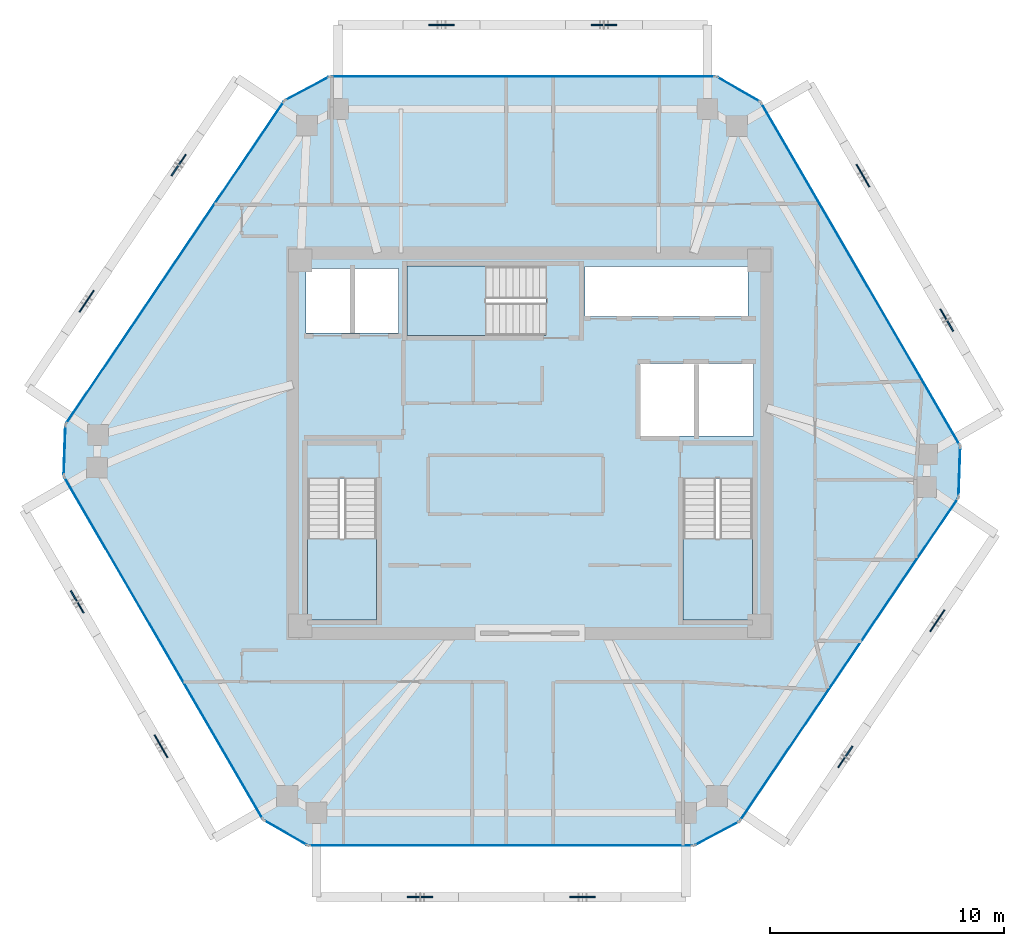
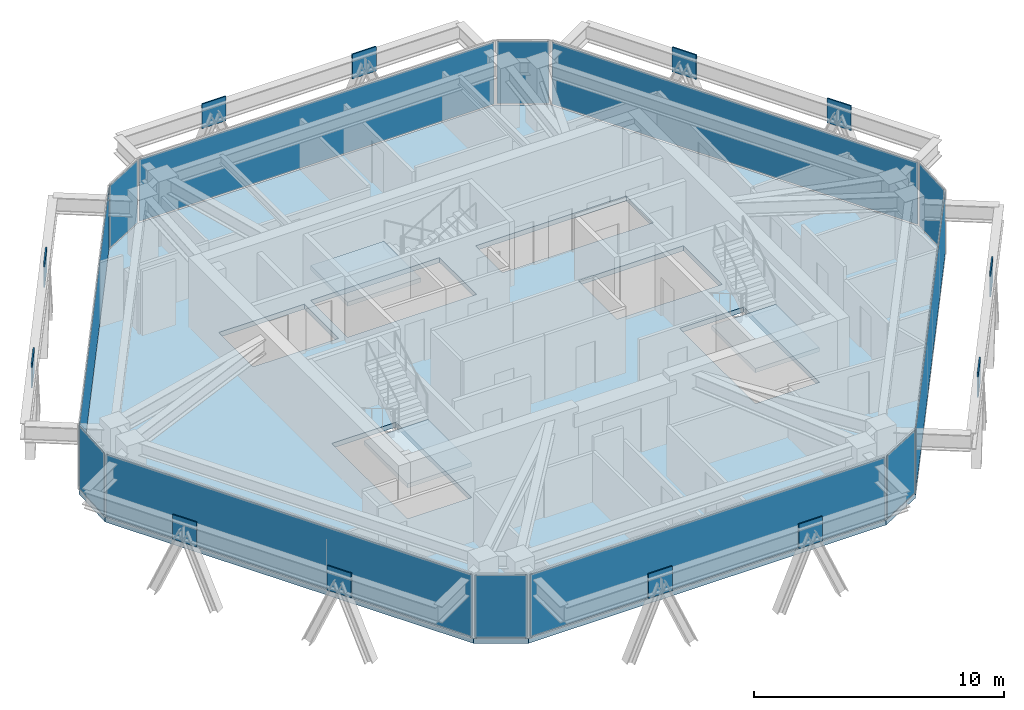
# One storey, part 7 of 13: 24 plates, 4 slabs, 15 elements without a shape of their own.
"""IFC4 building model written with IfcOpenShell, lengths in metres."""

from ifc_helpers import new_model, si_unit, direction, frame, origin, origin_2d, place, context, subcontext, project, spatial, polyline, rectangle, outline, extrude, source, transform, mapped, material, layer, layer_set, type_object, type_shapes, element, aggregate, save


model = new_model("IFC4")

# Units and contexts
model_context = context("Model", 3, precision=1e-05, world=origin(), true_north=direction((0.0, 1.0)))
body_context = subcontext(model_context, "Body", "Model", "MODEL_VIEW")
ifc_project = project(units=[si_unit("LENGTHUNIT", "METRE"), si_unit("AREAUNIT", "SQUARE_METRE"), si_unit("VOLUMEUNIT", "CUBIC_METRE"), si_unit("PLANEANGLEUNIT", "RADIAN"), si_unit("MASSUNIT", "GRAM", prefix="KILO")], contexts=[model_context])

# Site, building, storey
site_placement = place(None, origin())
site = spatial("IfcSite", under=ifc_project, at=site_placement, CompositionType="ELEMENT")
building_placement = place(site_placement, origin())
building = spatial("IfcBuilding", under=site, at=building_placement, Name="Durnholm Broadcast Tower", CompositionType="ELEMENT")
storey_placement = place(building_placement, frame((0.0, 0.0, 254.699951171875)))
storey = spatial("IfcBuildingStorey", under=building, at=storey_placement, Name="L71", CompositionType="ELEMENT", Elevation=254.699951171875)

# Slab
ifc_material_1 = material(Name="Concrete C50/60", Category="concrete")
ifc_layer_1 = layer(ifc_material_1, 0.239990234375)
ifc_layer_set_1 = layer_set([ifc_layer_1], Name="Concrete C50/60")
slab_type_1 = type_object("IfcSlabType", Name="SLAB-FLR-240", PredefinedType="FLOOR", material=ifc_layer_set_1)
slab_1_placement = place(storey_placement, frame((0.0, 0.0, -0.239990234375)))
element("IfcSlab", 1, at=slab_1_placement, inside=storey, type_object=slab_type_1, Name="L71 structural floor slab", PredefinedType="FLOOR", context=body_context, shape_type="SweptSolid", body=[
    extrude(outline(polyline([(-11.384521484375, -16.088134765625), (-9.47802734375, -17.18603515625), (7.012451171875, -17.18603515625), (8.955322265625, -16.154296875), (18.307861328125, -2.3203125), (18.38330078125, -0.12158203125), (9.8603515625, 14.564208984375), (7.9541015625, 15.662109375), (-8.536376953125, 15.662109375), (-10.4794921875, 14.630126953125), (-19.831787109375, 0.79638671875), (-19.9072265625, -1.40234375), (-11.384521484375, -16.088134765625)]), holes=[polyline([(-6.5400390625, -1.5), (-9.5, -1.5), (-9.5, -7.550048828125), (-6.5400390625, -7.550048828125), (-6.5400390625, -1.5)]), polyline([(9.5, -7.550048828125), (9.5, -1.5), (6.5400390625, -1.5), (6.5400390625, -7.550048828125), (9.5, -7.550048828125)]), polyline([(9.550048828125, 3.39990234375), (4.699951171875, 3.39990234375), (4.699951171875, 0.300048828125), (9.550048828125, 0.300048828125), (9.550048828125, 3.39990234375)]), polyline([(-9.550048828125, 7.449951171875), (-9.550048828125, 4.699951171875), (-5.60009765625, 4.699951171875), (-5.60009765625, 7.449951171875), (-9.550048828125, 7.449951171875)]), polyline([(-5.25, 4.60009765625), (0.699951171875, 4.60009765625), (0.699951171875, 7.56005859375), (-5.25, 7.56005859375), (-5.25, 4.60009765625)]), polyline([(9.31005859375, 7.550048828125), (2.35009765625, 7.550048828125), (2.35009765625, 5.39990234375), (9.31005859375, 5.39990234375), (9.31005859375, 7.550048828125)])]), origin(), (0.0, 0.0, 1.0), 0.239990234375),
])

# Stair, slab
stair_type = type_object("IfcStairType", Name="STAIR-DL-20R1700", PredefinedType="HALF_TURN_STAIR", material=ifc_material_1)
stair_1_placement = place(storey_placement, origin())
stair_1 = element("IfcStair", 2, at=stair_1_placement, inside=storey, type_object=stair_type, Name="L71 ST-1", PredefinedType="HALF_TURN_STAIR")
ifc_layer_2 = layer(ifc_material_1, 0.199951171875)
ifc_layer_set_2 = layer_set([ifc_layer_2], Name="Concrete C50/60")
slab_type_2 = type_object("IfcSlabType", Name="SLAB-LND-200", PredefinedType="LANDING", material=ifc_layer_set_2)
slab_2_placement = place(storey_placement, frame((0.0, 0.0, 1.5)))
slab_2 = element("IfcSlab", 3, at=slab_2_placement, type_object=slab_type_2, Name="ST-1 landing 1", PredefinedType="LANDING", context=body_context, shape_type="SweptSolid", body=[
    extrude(outline(polyline([(-9.5, -4.06494140625), (-9.5, -7.550048828125), (-6.5400390625, -7.550048828125), (-6.5400390625, -4.06494140625), (-9.5, -4.06494140625)])), origin(), (0.0, 0.0, 1.0), 0.199951171875),
])
aggregate(stair_1, [slab_2])

stair_2_placement = place(storey_placement, origin())
stair_2 = element("IfcStair", 4, at=stair_2_placement, inside=storey, type_object=stair_type, Name="L71 ST-2", PredefinedType="HALF_TURN_STAIR")
slab_3_placement = place(storey_placement, frame((0.0, 0.0, 1.5)))
slab_3 = element("IfcSlab", 5, at=slab_3_placement, type_object=slab_type_2, Name="ST-2 landing 1", PredefinedType="LANDING", context=body_context, shape_type="SweptSolid", body=[
    extrude(outline(polyline([(6.5400390625, -4.06494140625), (6.5400390625, -7.550048828125), (9.5, -7.550048828125), (9.5, -4.06494140625), (6.5400390625, -4.06494140625)])), origin(), (0.0, 0.0, 1.0), 0.199951171875),
])
aggregate(stair_2, [slab_3])

stair_3_placement = place(storey_placement, origin())
stair_3 = element("IfcStair", 6, at=stair_3_placement, inside=storey, type_object=stair_type, Name="L71 ST-3", PredefinedType="HALF_TURN_STAIR")
slab_4_placement = place(storey_placement, frame((0.0, 0.0, 1.5)))
slab_4 = element("IfcSlab", 7, at=slab_4_placement, type_object=slab_type_2, Name="ST-3 landing 1", PredefinedType="LANDING", context=body_context, shape_type="SweptSolid", body=[
    extrude(outline(polyline([(-1.864990234375, 7.56005859375), (-5.25, 7.56005859375), (-5.25, 4.60009765625), (-1.864990234375, 4.60009765625), (-1.864990234375, 7.56005859375)])), origin(), (0.0, 0.0, 1.0), 0.199951171875),
])
aggregate(stair_3, [slab_4])

# Plates
ifc_material_2 = material(Name="Steel ASTM A572 Grade 50", Category="steel")
ifc_layer_3 = layer(ifc_material_2, 0.06005859375)
ifc_layer_set_3 = layer_set([ifc_layer_3], Name="Steel ASTM A572 Grade 50")
plate_type_1 = type_object("IfcPlateType", Name="PLT-KN10-GUS", PredefinedType="USERDEFINED", material=ifc_layer_set_3)
shared_shape_1 = source(origin(), body_context, "Body", "SweptSolid", [
    extrude(rectangle(XDim=1.10009765625, YDim=0.06005859375, at=origin_2d()), origin(), (0.0, 0.0, 1.0), 1.199951171875),
])
type_shapes(plate_type_1, [shared_shape_1])
for number, where, z_axis, x_axis, name in (
    (8, (-4.688720703125, -19.385986328125, 1.80859375), (0.0, 0.0, 1.0), (1.0, 0.0, 0.0), "L71 welded diagrid node gusset plate KN10 F1"),
    (9, (2.248779296875, -19.385986328125, 1.80859375), (0.0, 0.0, 1.0), (1.0, 0.0, 0.0), "L71 welded diagrid node gusset plate KN10 F1"),
    (10, (13.47412109375, -13.398193359375, 1.80859375), (0.0, 0.0, 1.0), (0.560060762816, 0.828451532652, 0.0), "L71 welded diagrid node gusset plate KN10 F2"),
    (11, (17.404052734375, -7.585205078125, 1.80859375), (0.0, 0.0, 1.0), (0.560060762816, 0.828451532652, 0.0), "L71 welded diagrid node gusset plate KN10 F2"),
    (12, (17.806640625, 5.2548828125, 1.80859375), (0.0, 0.0, 1.0), (-0.501963660617, 0.864888711581, 0.0), "L71 welded diagrid node gusset plate KN10 F3"),
    (13, (14.228271484375, 11.4208984375, 1.80859375), (0.0, 0.0, 1.0), (-0.501963660617, 0.864888711581, 0.0), "L71 welded diagrid node gusset plate KN10 F3"),
    (14, (3.164794921875, 17.862060546875, 1.80859375), (0.0, 0.0, 1.0), (-1.0, 0.0, 0.0), "L71 welded diagrid node gusset plate KN10 F4"),
    (15, (-3.772705078125, 17.862060546875, 1.80859375), (0.0, 0.0, 1.0), (-1.0, 0.0, 0.0), "L71 welded diagrid node gusset plate KN10 F4"),
    (16, (-14.998046875, 11.874267578125, 1.80859375), (0.0, 0.0, 1.0), (-0.560060762816, -0.828451532652, 0.0), "L71 welded diagrid node gusset plate KN10 F5"),
    (17, (-18.927978515625, 6.061279296875, 1.80859375), (0.0, 0.0, 1.0), (-0.560060762816, -0.828451532652, 0.0), "L71 welded diagrid node gusset plate KN10 F5"),
    (18, (-19.330810546875, -6.77880859375, 1.80859375), (0.0, 0.0, 1.0), (0.501963660617, -0.864888711581, 0.0), "L71 welded diagrid node gusset plate KN10 F6"),
    (19, (-15.752197265625, -12.94482421875, 1.80859375), (0.0, 0.0, 1.0), (0.501963660617, -0.864888711581, 0.0), "L71 welded diagrid node gusset plate KN10 F6"),
):
    element("IfcPlate", number, at=place(storey_placement, frame(where, z_axis=z_axis, x_axis=x_axis)), inside=storey, type_object=plate_type_1, Name=name, ObjectType="GUSSET_PLATE", PredefinedType="USERDEFINED", context=body_context, shape_type="MappedRepresentation", body=[
        mapped(shared_shape_1, transform((0.0, 0.0, 0.0), x_axis=(1.0, 0.0, 0.0), y_axis=(0.0, 1.0, 0.0), z_axis=(0.0, 0.0, 1.0), scale=1.0)),
    ])

# Curtain wall, plate
ifc_material_3 = material(Name="Aluminium and Solar Control IGU", Category="aluminium")
ifc_layer_4 = layer(ifc_material_3, 0.1650390625)
ifc_layer_set_4 = layer_set([ifc_layer_4], Name="Aluminium and Solar Control IGU")
curtain_wall_type_1 = type_object("IfcCurtainWallType", Name="CW-SYS-5", PredefinedType="NOTDEFINED", material=ifc_layer_set_4)
curtain_wall_1_placement = place(storey_placement, origin())
curtain_wall_1 = element("IfcCurtainWall", 20, at=curtain_wall_1_placement, inside=storey, type_object=curtain_wall_type_1, Name="L71 curtain wall CW-CORNER CW-L71-CRN-01", PredefinedType="NOTDEFINED")
ifc_material_4 = material(Name="Low-E Laminated Insulating Glass", Category="glass")
ifc_layer_5 = layer(ifc_material_4, 0.030029296875)
ifc_layer_set_5 = layer_set([ifc_layer_5], Name="Low-E Laminated Insulating Glass")
plate_type_2 = type_object("IfcPlateType", Name="CW-SYS-5-PNL", PredefinedType="CURTAIN_PANEL", material=ifc_layer_set_5)
shared_shape_2 = source(origin(), body_context, "Body", "SweptSolid", [
    extrude(rectangle(XDim=2.070068359375, YDim=0.030029296875, at=origin_2d()), origin(), (0.0, 0.0, 1.0), 3.030029296875),
])
plate_1_placement = place(storey_placement, frame((-19.86962890625, -0.302978515625, 0.06494140625), z_axis=(0.0, 0.0, 1.0), x_axis=(0.034318245849, 0.999410955514, 0.0)))
plate_1 = element("IfcPlate", 21, at=plate_1_placement, type_object=plate_type_2, Name="CW-CORNER panel 1.1", PredefinedType="CURTAIN_PANEL", context=body_context, shape_type="MappedRepresentation", body=[
    mapped(shared_shape_2, transform((0.0, 0.0, 0.0), x_axis=(1.0, 0.0, 0.0), y_axis=(0.0, 1.0, 0.0), z_axis=(0.0, 0.0, 1.0), scale=1.0)),
])
aggregate(curtain_wall_1, [plate_1])

curtain_wall_2_placement = place(storey_placement, origin())
curtain_wall_2 = element("IfcCurtainWall", 22, at=curtain_wall_2_placement, inside=storey, type_object=curtain_wall_type_1, Name="L71 curtain wall CW-CORNER CW-L71-CRN-03", PredefinedType="NOTDEFINED")
plate_2_placement = place(storey_placement, frame((-9.5078125, 15.14599609375, 0.06494140625), z_axis=(0.0, 0.0, 1.0), x_axis=(0.883194569853, 0.469006771575, 0.0)))
plate_2 = element("IfcPlate", 23, at=plate_2_placement, type_object=plate_type_2, Name="CW-CORNER panel 1.1", PredefinedType="CURTAIN_PANEL", context=body_context, shape_type="MappedRepresentation", body=[
    mapped(shared_shape_2, transform((0.0, 0.0, 0.0), x_axis=(1.0, 0.0, 0.0), y_axis=(0.0, 1.0, 0.0), z_axis=(0.0, 0.0, 1.0), scale=1.0)),
])
aggregate(curtain_wall_2, [plate_2])

curtain_wall_3_placement = place(storey_placement, origin())
curtain_wall_3 = element("IfcCurtainWall", 24, at=curtain_wall_3_placement, inside=storey, type_object=curtain_wall_type_1, Name="L71 curtain wall CW-CORNER CW-L71-CRN-07", PredefinedType="NOTDEFINED")
plate_3_placement = place(storey_placement, frame((18.345458984375, -1.220947265625, 0.06494140625), z_axis=(0.0, 0.0, 1.0), x_axis=(-0.034318245849, -0.999410955514, 0.0)))
plate_3 = element("IfcPlate", 25, at=plate_3_placement, type_object=plate_type_2, Name="CW-CORNER panel 1.1", PredefinedType="CURTAIN_PANEL", context=body_context, shape_type="MappedRepresentation", body=[
    mapped(shared_shape_2, transform((0.0, 0.0, 0.0), x_axis=(1.0, 0.0, 0.0), y_axis=(0.0, 1.0, 0.0), z_axis=(0.0, 0.0, 1.0), scale=1.0)),
])
aggregate(curtain_wall_3, [plate_3])

curtain_wall_4_placement = place(storey_placement, origin())
curtain_wall_4 = element("IfcCurtainWall", 26, at=curtain_wall_4_placement, inside=storey, type_object=curtain_wall_type_1, Name="L71 curtain wall CW-CORNER CW-L71-CRN-09", PredefinedType="NOTDEFINED")
plate_4_placement = place(storey_placement, frame((7.98388671875, -16.670166015625, 0.06494140625), z_axis=(0.0, 0.0, 1.0), x_axis=(-0.883194569853, -0.469006771575, 0.0)))
plate_4 = element("IfcPlate", 27, at=plate_4_placement, type_object=plate_type_2, Name="CW-CORNER panel 1.1", PredefinedType="CURTAIN_PANEL", context=body_context, shape_type="MappedRepresentation", body=[
    mapped(shared_shape_2, transform((0.0, 0.0, 0.0), x_axis=(1.0, 0.0, 0.0), y_axis=(0.0, 1.0, 0.0), z_axis=(0.0, 0.0, 1.0), scale=1.0)),
])
aggregate(curtain_wall_4, [plate_4])

ifc_layer_6 = layer(ifc_material_3, 0.18994140625)
ifc_layer_set_6 = layer_set([ifc_layer_6], Name="Aluminium and Solar Control IGU")
curtain_wall_type_2 = type_object("IfcCurtainWallType", Name="CW-SYS-4", PredefinedType="NOTDEFINED", material=ifc_layer_set_6)
curtain_wall_5_placement = place(storey_placement, origin())
curtain_wall_5 = element("IfcCurtainWall", 28, at=curtain_wall_5_placement, inside=storey, type_object=curtain_wall_type_2, Name="L71 curtain wall CW-Z34-VIS CW-L71-F02", PredefinedType="NOTDEFINED")
ifc_layer_7 = layer(ifc_material_4, 0.033935546875)
ifc_layer_set_7 = layer_set([ifc_layer_7], Name="Low-E Laminated Insulating Glass")
plate_type_3 = type_object("IfcPlateType", Name="CW-SYS-4-PNL", PredefinedType="CURTAIN_PANEL", material=ifc_layer_set_7)
shared_shape_3 = source(origin(), body_context, "Body", "SweptSolid", [
    extrude(rectangle(XDim=16.55859375, YDim=0.033935546875, at=origin_2d()), origin(), (0.0, 0.0, 1.0), 3.02001953125),
])
plate_5_placement = place(storey_placement, frame((-15.155517578125, 7.71337890625, 0.070068359375), z_axis=(0.0, 0.0, 1.0), x_axis=(0.560072745753, 0.828443431662, 0.0)))
plate_5 = element("IfcPlate", 29, at=plate_5_placement, type_object=plate_type_3, Name="CW-Z34-VIS panel 1.1", PredefinedType="CURTAIN_PANEL", context=body_context, shape_type="MappedRepresentation", body=[
    mapped(shared_shape_3, transform((0.0, 0.0, 0.0), x_axis=(1.0, 0.0, 0.0), y_axis=(0.0, 1.0, 0.0), z_axis=(0.0, 0.0, 1.0), scale=1.0)),
])
aggregate(curtain_wall_5, [plate_5])

curtain_wall_6_placement = place(storey_placement, origin())
curtain_wall_6 = element("IfcCurtainWall", 30, at=curtain_wall_6_placement, inside=storey, type_object=curtain_wall_type_2, Name="L71 curtain wall CW-Z34-VIS CW-L71-F08", PredefinedType="NOTDEFINED")
plate_6_placement = place(storey_placement, frame((13.631591796875, -9.2373046875, 0.070068359375), z_axis=(0.0, 0.0, 1.0), x_axis=(-0.560072745753, -0.828443431662, 0.0)))
plate_6 = element("IfcPlate", 31, at=plate_6_placement, type_object=plate_type_3, Name="CW-Z34-VIS panel 1.1", PredefinedType="CURTAIN_PANEL", context=body_context, shape_type="MappedRepresentation", body=[
    mapped(shared_shape_3, transform((0.0, 0.0, 0.0), x_axis=(1.0, 0.0, 0.0), y_axis=(0.0, 1.0, 0.0), z_axis=(0.0, 0.0, 1.0), scale=1.0)),
])
aggregate(curtain_wall_6, [plate_6])

curtain_wall_7_placement = place(storey_placement, origin())
curtain_wall_7 = element("IfcCurtainWall", 32, at=curtain_wall_7_placement, inside=storey, type_object=curtain_wall_type_2, Name="L71 curtain wall CW-Z34-VIS CW-L71-F04", PredefinedType="NOTDEFINED")
shared_shape_4 = source(origin(), body_context, "Body", "SweptSolid", [
    extrude(rectangle(XDim=16.350341796875, YDim=0.033935546875, at=origin_2d()), origin(), (0.0, 0.0, 1.0), 3.02001953125),
])
plate_7_placement = place(storey_placement, frame((-0.291259765625, 15.662109375, 0.070068359375), z_axis=(0.0, 0.0, 1.0), x_axis=(1.0, 0.0, 0.0)))
plate_7 = element("IfcPlate", 33, at=plate_7_placement, type_object=plate_type_3, Name="CW-Z34-VIS panel 1.1", PredefinedType="CURTAIN_PANEL", context=body_context, shape_type="MappedRepresentation", body=[
    mapped(shared_shape_4, transform((0.0, 0.0, 0.0), x_axis=(1.0, 0.0, 0.0), y_axis=(0.0, 1.0, 0.0), z_axis=(0.0, 0.0, 1.0), scale=1.0)),
])
aggregate(curtain_wall_7, [plate_7])

curtain_wall_8_placement = place(storey_placement, origin())
curtain_wall_8 = element("IfcCurtainWall", 34, at=curtain_wall_8_placement, inside=storey, type_object=curtain_wall_type_2, Name="L71 curtain wall CW-Z34-VIS CW-L71-F10", PredefinedType="NOTDEFINED")
plate_8_placement = place(storey_placement, frame((-1.23291015625, -17.18603515625, 0.070068359375), z_axis=(0.0, 0.0, 1.0), x_axis=(-1.0, 0.0, 0.0)))
plate_8 = element("IfcPlate", 35, at=plate_8_placement, type_object=plate_type_3, Name="CW-Z34-VIS panel 1.1", PredefinedType="CURTAIN_PANEL", context=body_context, shape_type="MappedRepresentation", body=[
    mapped(shared_shape_4, transform((0.0, 0.0, 0.0), x_axis=(1.0, 0.0, 0.0), y_axis=(0.0, 1.0, 0.0), z_axis=(0.0, 0.0, 1.0), scale=1.0)),
])
aggregate(curtain_wall_8, [plate_8])

curtain_wall_9_placement = place(storey_placement, origin())
curtain_wall_9 = element("IfcCurtainWall", 36, at=curtain_wall_9_placement, inside=storey, type_object=curtain_wall_type_1, Name="L71 curtain wall CW-CORNER CW-L71-CRN-05", PredefinedType="NOTDEFINED")
shared_shape_5 = source(origin(), body_context, "Body", "SweptSolid", [
    extrude(rectangle(XDim=2.06982421875, YDim=0.030029296875, at=origin_2d()), origin(), (0.0, 0.0, 1.0), 3.030029296875),
])
type_shapes(plate_type_2, [shared_shape_2, shared_shape_5])
plate_9_placement = place(storey_placement, frame((8.9072265625, 15.113037109375, 0.06494140625), z_axis=(0.0, 0.0, 1.0), x_axis=(0.866568249707, -0.499058582333, 0.0)))
plate_9 = element("IfcPlate", 37, at=plate_9_placement, type_object=plate_type_2, Name="CW-CORNER panel 1.1", PredefinedType="CURTAIN_PANEL", context=body_context, shape_type="MappedRepresentation", body=[
    mapped(shared_shape_5, transform((0.0, 0.0, 0.0), x_axis=(1.0, 0.0, 0.0), y_axis=(0.0, 1.0, 0.0), z_axis=(0.0, 0.0, 1.0), scale=1.0)),
])
aggregate(curtain_wall_9, [plate_9])

curtain_wall_10_placement = place(storey_placement, origin())
curtain_wall_10 = element("IfcCurtainWall", 38, at=curtain_wall_10_placement, inside=storey, type_object=curtain_wall_type_1, Name="L71 curtain wall CW-CORNER CW-L71-CRN-11", PredefinedType="NOTDEFINED")
plate_10_placement = place(storey_placement, frame((-10.43115234375, -16.636962890625, 0.06494140625), z_axis=(0.0, 0.0, 1.0), x_axis=(-0.866568249707, 0.499058582333, 0.0)))
plate_10 = element("IfcPlate", 39, at=plate_10_placement, type_object=plate_type_2, Name="CW-CORNER panel 1.1", PredefinedType="CURTAIN_PANEL", context=body_context, shape_type="MappedRepresentation", body=[
    mapped(shared_shape_5, transform((0.0, 0.0, 0.0), x_axis=(1.0, 0.0, 0.0), y_axis=(0.0, 1.0, 0.0), z_axis=(0.0, 0.0, 1.0), scale=1.0)),
])
aggregate(curtain_wall_10, [plate_10])

curtain_wall_11_placement = place(storey_placement, origin())
curtain_wall_11 = element("IfcCurtainWall", 40, at=curtain_wall_11_placement, inside=storey, type_object=curtain_wall_type_2, Name="L71 curtain wall CW-Z34-VIS CW-L71-F06", PredefinedType="NOTDEFINED")
shared_shape_6 = source(origin(), body_context, "Body", "SweptSolid", [
    extrude(rectangle(XDim=16.83984375, YDim=0.033935546875, at=origin_2d()), origin(), (0.0, 0.0, 1.0), 3.02001953125),
])
type_shapes(plate_type_3, [shared_shape_3, shared_shape_4, shared_shape_6])
plate_11_placement = place(storey_placement, frame((14.121826171875, 7.22119140625, 0.070068359375), z_axis=(0.0, 0.0, 1.0), x_axis=(0.50194441023, -0.864899883824, 0.0)))
plate_11 = element("IfcPlate", 41, at=plate_11_placement, type_object=plate_type_3, Name="CW-Z34-VIS panel 1.1", PredefinedType="CURTAIN_PANEL", context=body_context, shape_type="MappedRepresentation", body=[
    mapped(shared_shape_6, transform((0.0, 0.0, 0.0), x_axis=(1.0, 0.0, 0.0), y_axis=(0.0, 1.0, 0.0), z_axis=(0.0, 0.0, 1.0), scale=1.0)),
])
aggregate(curtain_wall_11, [plate_11])

curtain_wall_12_placement = place(storey_placement, origin())
curtain_wall_12 = element("IfcCurtainWall", 42, at=curtain_wall_12_placement, inside=storey, type_object=curtain_wall_type_2, Name="L71 curtain wall CW-Z34-VIS CW-L71-F12", PredefinedType="NOTDEFINED")
plate_12_placement = place(storey_placement, frame((-15.645751953125, -8.7451171875, 0.070068359375), z_axis=(0.0, 0.0, 1.0), x_axis=(-0.50194441023, 0.864899883824, 0.0)))
plate_12 = element("IfcPlate", 43, at=plate_12_placement, type_object=plate_type_3, Name="CW-Z34-VIS panel 1.1", PredefinedType="CURTAIN_PANEL", context=body_context, shape_type="MappedRepresentation", body=[
    mapped(shared_shape_6, transform((0.0, 0.0, 0.0), x_axis=(1.0, 0.0, 0.0), y_axis=(0.0, 1.0, 0.0), z_axis=(0.0, 0.0, 1.0), scale=1.0)),
])
aggregate(curtain_wall_12, [plate_12])

save(model, "model.ifc")
